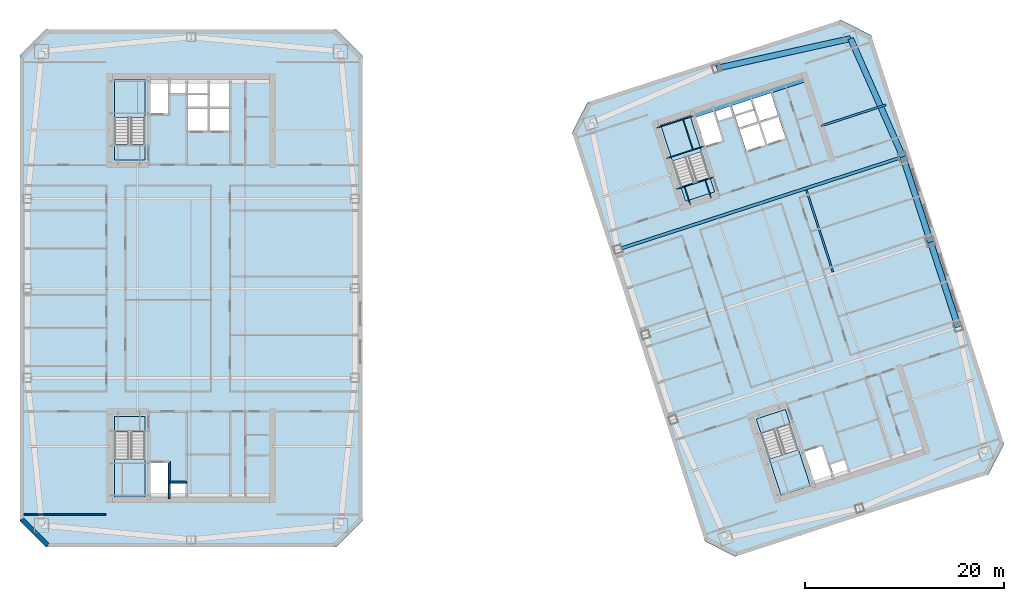
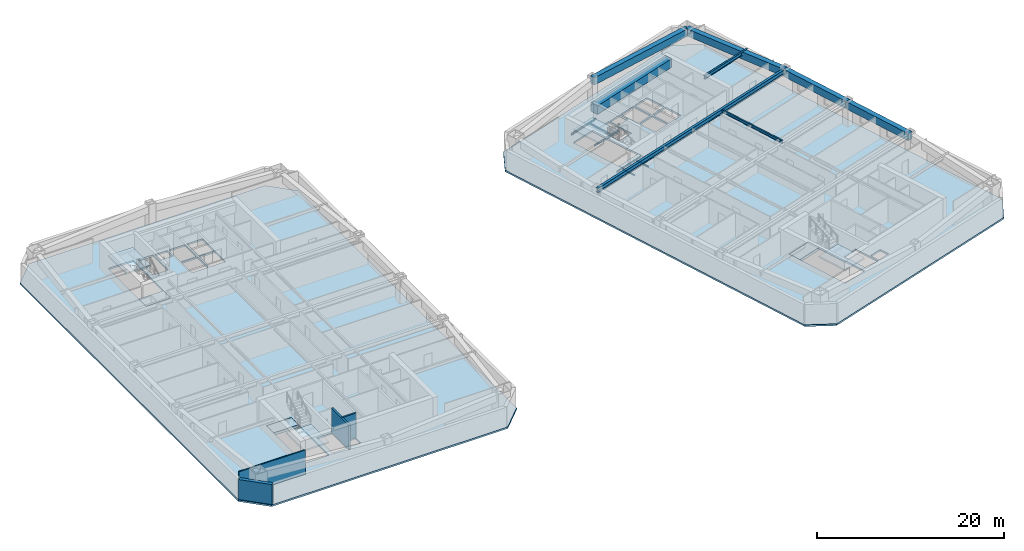
# One storey, part 4 of 13: 14 beams, 10 slabs, 4 walls, 4 elements without a shape of their own.
"""IFC4 building model written with IfcOpenShell, lengths in metres."""

import ifcopenshell
import ifcopenshell.guid

model = None  # the IFC model being written
_history = None  # IfcOwnerHistory: only IFC2X3 demands one
_inside = {}  # id of a spatial element -> (the spatial element, [elements in it])
_under = {}  # id of a project, library or spatial element -> (it, [spatial elements below it])
_declared = {}  # id of a project -> (the project, [libraries it declares])
_typed = {}  # id of a type object -> (the type object, [elements of that type])
_made_of = {}  # id of a material, layer set ... -> (it, [elements and type objects made of it])


def new_model(schema):
    """Start an empty IFC model of exactly this schema.

    Asked for "IFC4X3", IfcOpenShell would pick the latest addendum, in which some entities
    have other attributes; the version numbers below select the first issue.
    IFC2X3 requires an IfcOwnerHistory on every rooted entity: one is made here for all.
    """
    global model, _history
    if schema == "IFC4X3":
        model = ifcopenshell.file(schema_version=(4, 3, 0, 0))
    else:
        model = ifcopenshell.file(schema=schema)
    _inside.clear()
    _under.clear()
    _declared.clear()
    _typed.clear()
    _made_of.clear()
    _history = None
    if model.schema == "IFC2X3":
        org = make("IfcOrganization", Name="unknown")
        user = make(
            "IfcPersonAndOrganization",
            ThePerson=make("IfcPerson", FamilyName="unknown"),
            TheOrganization=org,
        )
        app = make(
            "IfcApplication",
            ApplicationDeveloper=org,
            Version="unknown",
            ApplicationFullName="unknown",
            ApplicationIdentifier="unknown",
        )
        _history = make(
            "IfcOwnerHistory",
            OwningUser=user,
            OwningApplication=app,
            ChangeAction="ADDED",
            CreationDate=0,
        )
    return model


def make(cls, **values):
    """One entity of the class cls with the attributes given. An attribute that is None is left unset."""
    return model.create_entity(
        cls, **{name: value for name, value in values.items() if value is not None}
    )


def rooted(cls, **values):
    """An entity with a GlobalId (a new one), such as an element, a storey or a relation."""
    return make(cls, GlobalId=ifcopenshell.guid.new(), OwnerHistory=_history, **values)


def si_unit(unit_type, name, prefix=None):
    """IfcSIUnit, for example si_unit("LENGTHUNIT", "METRE", prefix="MILLI")."""
    return make("IfcSIUnit", UnitType=unit_type, Prefix=prefix, Name=name)


def assignment(units):
    """IfcUnitAssignment: the units of a project."""
    return None if units is None else make("IfcUnitAssignment", Units=units)


def point(xyz):
    """IfcCartesianPoint."""
    return None if xyz is None else make("IfcCartesianPoint", Coordinates=xyz)


def direction(xyz):
    """IfcDirection."""
    return None if xyz is None else make("IfcDirection", DirectionRatios=xyz)


def frame(location, z_axis=None, x_axis=None):
    """IfcAxis2Placement3D, a coordinate frame: its origin and axes. An axis left out is left unset."""
    return make(
        "IfcAxis2Placement3D",
        Location=point(location),
        Axis=direction(z_axis),
        RefDirection=direction(x_axis),
    )


def frame_2d(location, x_axis=None):
    """IfcAxis2Placement2D, a coordinate frame in the plane: its origin and x axis."""
    return make(
        "IfcAxis2Placement2D", Location=point(location), RefDirection=direction(x_axis)
    )


def origin():
    """The frame at (0, 0, 0) with its axes left unset."""
    return frame((0.0, 0.0, 0.0))


def origin_2d():
    """The frame at (0, 0) in the plane with its x axis left unset."""
    return frame_2d((0.0, 0.0))


def place(relative_to, where):
    """IfcLocalPlacement: puts the frame where relative to a parent placement (None: the world)."""
    return make(
        "IfcLocalPlacement", PlacementRelTo=relative_to, RelativePlacement=where
    )


def context(
    kind, dimensions, precision=None, world=None, true_north=None, identifier=None
):
    """IfcGeometricRepresentationContext, for example the 3D "Model" context."""
    return make(
        "IfcGeometricRepresentationContext",
        ContextIdentifier=identifier,
        ContextType=kind,
        CoordinateSpaceDimension=dimensions,
        Precision=precision,
        WorldCoordinateSystem=world,
        TrueNorth=true_north,
    )


def subcontext(parent, identifier, kind, view, scale=None):
    """IfcGeometricRepresentationSubContext, for example "Body" below "Model"."""
    return make(
        "IfcGeometricRepresentationSubContext",
        ContextIdentifier=identifier,
        ContextType=kind,
        ParentContext=parent,
        TargetScale=scale,
        TargetView=view,
    )


def project(units=None, contexts=None):
    """IfcProject with its units and contexts."""
    return rooted(
        "IfcProject",
        Name="project",
        RepresentationContexts=contexts,
        UnitsInContext=assignment(units),
    )


def spatial(cls, under=None, at=None, **own):
    """A site, building, storey or space (cls), placed at a placement, below another one or the project."""
    s = rooted(cls, ObjectPlacement=at, **own)
    if under is not None:
        _under.setdefault(under.id(), (under, []))[1].append(s)
    return s


def polyline(points):
    """IfcPolyline through the points."""
    return make("IfcPolyline", Points=[point(p) for p in points])


def profile(cls, at=None, kind="AREA", **sizes):
    """A parametric profile (cls). Its sizes go by their IFC names, for example OverallWidth=200.0."""
    return make(cls, ProfileType=kind, Position=at, **sizes)


def rectangle(**sizes):
    """IfcRectangleProfileDef."""
    return profile("IfcRectangleProfileDef", **sizes)


def i_section(**sizes):
    """IfcIShapeProfileDef."""
    return profile("IfcIShapeProfileDef", **sizes)


def outline(outer, holes=None, kind="AREA"):
    """IfcArbitraryClosedProfileDef: a profile drawn as a closed curve; with holes, ...WithVoids."""
    if holes is None:
        return make("IfcArbitraryClosedProfileDef", ProfileType=kind, OuterCurve=outer)
    return make(
        "IfcArbitraryProfileDefWithVoids",
        ProfileType=kind,
        OuterCurve=outer,
        InnerCurves=holes,
    )


def extrude(swept, where, along, depth):
    """IfcExtrudedAreaSolid: the profile swept, set in the frame where, extruded along a direction by depth."""
    return make(
        "IfcExtrudedAreaSolid",
        SweptArea=swept,
        Position=where,
        ExtrudedDirection=direction(along),
        Depth=depth,
    )


def shape(context_of_items, identifier, shape_type, items):
    """IfcShapeRepresentation: the items that make up one representation, for example the "Body"."""
    return make(
        "IfcShapeRepresentation",
        ContextOfItems=context_of_items,
        RepresentationIdentifier=identifier,
        RepresentationType=shape_type,
        Items=items,
    )


def material(Name=None, Category=None):
    """IfcMaterial."""
    return make("IfcMaterial", Name=Name, Category=Category)


def layer(
    of_material, thickness, ventilated=None, Name=None, Category=None, Priority=None
):
    """IfcMaterialLayer: one layer of a wall or slab, of a material (None: an air gap)."""
    return make(
        "IfcMaterialLayer",
        Material=of_material,
        LayerThickness=thickness,
        IsVentilated=ventilated,
        Name=Name,
        Category=Category,
        Priority=Priority,
    )


def layer_set(layers, Name=None):
    """IfcMaterialLayerSet."""
    return make("IfcMaterialLayerSet", MaterialLayers=layers, LayerSetName=Name)


def material_profile(
    of_material, cross_section, Name=None, Category=None, Priority=None
):
    """IfcMaterialProfile: a cross section and its material."""
    return make(
        "IfcMaterialProfile",
        Name=Name,
        Material=of_material,
        Profile=cross_section,
        Priority=Priority,
        Category=Category,
    )


def profile_set(profiles, Name=None, composite=None):
    """IfcMaterialProfileSet."""
    return make(
        "IfcMaterialProfileSet",
        Name=Name,
        MaterialProfiles=profiles,
        CompositeProfile=composite,
    )


def made_of(thing, what):
    """Note that an element or type object is made of a material, layer set ...; save() writes the relation."""
    if what is not None:
        _made_of.setdefault(what.id(), (what, []))[1].append(thing)
    return thing


def type_object(cls, material=None, **own):
    """A type object (cls), such as IfcWallType, which elements share."""
    return made_of(rooted(cls, **own), material)


def element(
    cls,
    number,
    at=None,
    inside=None,
    cuts=None,
    type_object=None,
    material=None,
    context=None,
    identifier="Body",
    shape_type=None,
    held_by="IfcProductDefinitionShape",
    body=None,
    shapes=None,
    **own,
):
    """One element of the class cls, such as IfcWall. Its Tag is "e" and its number.

    at: its placement. inside: the storey or other place that contains it. cuts: it is an
    opening in that element (IfcRelVoidsElement). A single representation is given by context,
    identifier, shape_type and body (its items); several are given by shapes. held_by: the class
    of the entity that holds the representations. save() writes the other relations.
    """
    e = rooted(cls, Tag="e%d" % number, ObjectPlacement=at, **own)
    if body is not None:
        shapes = [shape(context, identifier, shape_type, body)]
    if shapes is not None:
        e.Representation = make(held_by, Representations=shapes)
    if inside is not None:
        _inside.setdefault(inside.id(), (inside, []))[1].append(e)
    if cuts is not None:
        rooted(
            "IfcRelVoidsElement", RelatingBuildingElement=cuts, RelatedOpeningElement=e
        )
    if type_object is not None:
        _typed.setdefault(type_object.id(), (type_object, []))[1].append(e)
    return made_of(e, material)


def aggregate(whole, parts):
    """IfcRelAggregates: a whole, such as a stair, and the parts it consists of."""
    return rooted("IfcRelAggregates", RelatingObject=whole, RelatedObjects=parts)


def save(model, path):
    """Write the relations noted so far, then the file.

    IfcRelAggregates (storeys below a building ...), IfcRelContainedInSpatialStructure (elements
    in a storey), IfcRelDefinesByType, IfcRelAssociatesMaterial and IfcRelDeclares: one each for
    every whole, place, type object, material and project.
    """
    for whole, parts in _under.values():
        aggregate(whole, parts)
    for where, things in _inside.values():
        rooted(
            "IfcRelContainedInSpatialStructure",
            RelatedElements=things,
            RelatingStructure=where,
        )
    for kind, things in _typed.values():
        rooted("IfcRelDefinesByType", RelatedObjects=things, RelatingType=kind)
    for what, things in _made_of.values():
        rooted("IfcRelAssociatesMaterial", RelatedObjects=things, RelatingMaterial=what)
    for by, libraries in _declared.values():
        rooted("IfcRelDeclares", RelatingContext=by, RelatedDefinitions=libraries)
    model.write(path)


model = new_model("IFC4")

# Units and contexts
model_context = context("Model", 3, precision=1e-05, world=origin(), true_north=direction((0.0, 1.0)))
body_context = subcontext(model_context, "Body", "Model", "MODEL_VIEW")
ifc_project = project(units=[si_unit("LENGTHUNIT", "METRE"), si_unit("AREAUNIT", "SQUARE_METRE"), si_unit("VOLUMEUNIT", "CUBIC_METRE"), si_unit("PLANEANGLEUNIT", "RADIAN"), si_unit("MASSUNIT", "GRAM", prefix="KILO")], contexts=[model_context])

# Site, building, storey
site_placement = place(None, origin())
site = spatial("IfcSite", under=ifc_project, at=site_placement, CompositionType="ELEMENT")
building_placement = place(site_placement, origin())
building = spatial("IfcBuilding", under=site, at=building_placement, Name="Qiaolan Cultural Towers", CompositionType="ELEMENT")
storey_placement = place(building_placement, frame((0.0, 0.0, 170.199951171875)))
storey = spatial("IfcBuildingStorey", under=building, at=storey_placement, Name="L45", CompositionType="ELEMENT", Elevation=170.199951171875)

# Beams
ifc_material_1 = material(Name="Steel Q355B", Category="steel")
ifc_material_profile_1 = material_profile(ifc_material_1, i_section(OverallWidth=0.300048828125, OverallDepth=0.587890625, WebThickness=0.011962890625, FlangeThickness=0.02001953125, at=origin_2d()), Name="HM588x300x12x20")
ifc_profile_set_1 = profile_set([ifc_material_profile_1], Name="Steel Q355B")
beam_type_1 = type_object("IfcBeamType", Name="BM-HM588x300x12x20", PredefinedType="BEAM", material=ifc_profile_set_1)
beam_1_placement = place(storey_placement, frame((72.905517578125, 37.90869140625, 2.89599609375), z_axis=(0.951055226628, 0.309020963535, 0.0), x_axis=(-0.309020963535, 0.951055226628, 0.0)))
element("IfcBeam", 1, at=beam_1_placement, inside=storey, type_object=beam_type_1, Name="L45 T2 Primary Transverse Girder V3", PredefinedType="BEAM", context=body_context, shape_type="SweptSolid", body=[
    extrude(i_section(OverallWidth=0.300048828125, OverallDepth=0.587890625, WebThickness=0.011962890625, FlangeThickness=0.02001953125, at=origin_2d()), origin(), (0.0, 0.0, 1.0), 30.099853515625),
])
ifc_material_2 = material(Name="Steel Q355B", Category="steel")
ifc_material_profile_2 = material_profile(ifc_material_2, i_section(OverallWidth=0.175048828125, OverallDepth=0.35009765625, WebThickness=0.007080078125, FlangeThickness=0.010986328125, at=origin_2d()), Name="HN350x175x7x11")
ifc_profile_set_2 = profile_set([ifc_material_profile_2], Name="Steel Q355B")
beam_type_2 = type_object("IfcBeamType", Name="BM-JST-HN350x175x7x11", PredefinedType="JOIST", material=ifc_profile_set_2)
beam_2_placement = place(storey_placement, frame((94.518798828125, 35.6259765625, 3.01513671875), z_axis=(-0.309020714809, 0.951055307445, 0.0), x_axis=(-0.951055307445, -0.309020714809, 0.0)))
element("IfcBeam", 2, at=beam_2_placement, inside=storey, type_object=beam_type_2, Name="L45 T2 Secondary Floor Joist U3-3", PredefinedType="JOIST", context=body_context, shape_type="SweptSolid", body=[
    extrude(i_section(OverallWidth=0.175048828125, OverallDepth=0.35009765625, WebThickness=0.007080078125, FlangeThickness=0.010986328125, at=origin_2d()), origin(), (0.0, 0.0, 1.0), 8.699951171875),
])
ifc_material_3 = material(Name="Steel Q355B", Category="steel")
ifc_material_profile_3 = material_profile(ifc_material_3, i_section(OverallWidth=0.199951171875, OverallDepth=0.449951171875, WebThickness=0.009033203125, FlangeThickness=0.013916015625, at=origin_2d()), Name="HN450x200x9x14")
ifc_profile_set_3 = profile_set([ifc_material_profile_3], Name="Steel Q355B")
beam_type_3 = type_object("IfcBeamType", Name="BM-LNT-HN450x200x9x14", PredefinedType="LINTEL", material=ifc_profile_set_3)
beam_3_placement = place(storey_placement, frame((93.31787109375, 50.32421875, 2.965087890625), z_axis=(0.951061565824, 0.30900145309, 0.0), x_axis=(-0.30900145309, 0.951061565824, 0.0)))
element("IfcBeam", 3, at=beam_3_placement, inside=storey, type_object=beam_type_3, Name="L45 T2 Core Flank Tie Lintel EN", PredefinedType="LINTEL", context=body_context, shape_type="SweptSolid", body=[
    extrude(i_section(OverallWidth=0.199951171875, OverallDepth=0.449951171875, WebThickness=0.009033203125, FlangeThickness=0.013916015625, at=origin_2d()), origin(), (0.0, 0.0, 1.0), 6.85009765625),
])
ifc_material_4 = material(Name="Concrete C50", Category="concrete")
ifc_material_profile_4 = material_profile(ifc_material_4, rectangle(XDim=0.89990234375, YDim=1.10009765625, at=origin_2d()), Name="RC900x1100")
ifc_profile_set_4 = profile_set([ifc_material_profile_4], Name="Concrete C50")
beam_type_4 = type_object("IfcBeamType", Name="BM-RC900x1100", PredefinedType="BEAM", material=ifc_profile_set_4)
beam_4_placement = place(storey_placement, frame((80.427978515625, 51.551025390625, 2.64013671875), z_axis=(0.951056266386, 0.309017763514, 0.0), x_axis=(-0.309017763514, 0.951056266386, 0.0)))
element("IfcBeam", 4, at=beam_4_placement, inside=storey, type_object=beam_type_4, Name="L45 T2 Core Header Girder N", PredefinedType="BEAM", context=body_context, shape_type="SweptSolid", body=[
    extrude(rectangle(XDim=0.89990234375, YDim=1.10009765625, at=origin_2d()), origin(), (0.0, 0.0, 1.0), 11.880126953125),
])
ifc_material_5 = material(Name="Concrete C50", Category="concrete")
ifc_material_profile_5 = material_profile(ifc_material_5, rectangle(XDim=0.60009765625, YDim=0.949951171875, at=origin_2d()), Name="RC600x950")
ifc_profile_set_5 = profile_set([ifc_material_profile_5], Name="Concrete C50")
beam_type_5 = type_object("IfcBeamType", Name="BM-SPD-RC600x950", PredefinedType="SPANDREL", material=ifc_profile_set_5)
beam_5_placement = place(storey_placement, frame((107.094482421875, 30.09130859375, 2.715087890625), z_axis=(-0.309008170129, 0.951059383421, 0.0), x_axis=(-0.951059383421, -0.309008170129, 0.0)))
element("IfcBeam", 5, at=beam_5_placement, inside=storey, type_object=beam_type_5, Name="L45 T2 Perimeter Spandrel Beam 4", PredefinedType="SPANDREL", context=body_context, shape_type="SweptSolid", body=[
    extrude(rectangle(XDim=0.60009765625, YDim=0.949951171875, at=origin_2d()), origin(), (0.0, 0.0, 1.0), 8.999755859375),
])
beam_6_placement = place(storey_placement, frame((104.3134765625, 38.650634765625, 2.715087890625), z_axis=(-0.309024734286, 0.951054001411, 0.0), x_axis=(-0.951054001411, -0.309024734286, 0.0)))
element("IfcBeam", 6, at=beam_6_placement, inside=storey, type_object=beam_type_5, Name="L45 T2 Perimeter Spandrel Beam 5", PredefinedType="SPANDREL", context=body_context, shape_type="SweptSolid", body=[
    extrude(rectangle(XDim=0.60009765625, YDim=0.949951171875, at=origin_2d()), origin(), (0.0, 0.0, 1.0), 9.0),
])
beam_7_placement = place(storey_placement, frame((101.5322265625, 47.210205078125, 2.715087890625), z_axis=(-0.404011070002, 0.914754095545, 0.0), x_axis=(-0.914754095545, -0.404011070002, 0.0)))
element("IfcBeam", 7, at=beam_7_placement, inside=storey, type_object=beam_type_5, Name="L45 T2 Perimeter Spandrel Beam 6", PredefinedType="SPANDREL", context=body_context, shape_type="SweptSolid", body=[
    extrude(rectangle(XDim=0.60009765625, YDim=0.949951171875, at=origin_2d()), origin(), (0.0, 0.0, 1.0), 12.9970703125),
])
beam_8_placement = place(storey_placement, frame((96.28125, 59.099365234375, 2.715087890625), z_axis=(-0.976265293399, -0.216578108094, 0.0), x_axis=(0.216578108094, -0.976265293399, 0.0)))
element("IfcBeam", 8, at=beam_8_placement, inside=storey, type_object=beam_type_5, Name="L45 T2 Perimeter Spandrel Beam 7", PredefinedType="SPANDREL", context=body_context, shape_type="SweptSolid", body=[
    extrude(rectangle(XDim=0.60009765625, YDim=0.949951171875, at=origin_2d()), origin(), (0.0, 0.0, 1.0), 13.793212890625),
])
ifc_material_6 = material(Name="Steel Q355B", Category="steel")
ifc_material_profile_6 = material_profile(ifc_material_6, i_section(OverallWidth=0.10009765625, OverallDepth=0.199951171875, WebThickness=0.005615234375, FlangeThickness=0.008056640625, at=origin_2d()), Name="HN200x100x5.5x8")
ifc_profile_set_6 = profile_set([ifc_material_profile_6], Name="Steel Q355B")
beam_type_6 = type_object("IfcBeamType", Name="BM-STTRIM-200", PredefinedType="BEAM", material=ifc_profile_set_6)
beam_9_placement = place(storey_placement, frame((78.773193359375, 43.958251953125, -0.4599609375), z_axis=(0.951072048947, 0.3089691857, 0.0), x_axis=(-0.3089691857, 0.951072048947, 0.0)))
element("IfcBeam", 9, at=beam_9_placement, inside=storey, type_object=beam_type_6, Name="L45 ST-E2 Floor Landing Header Beam", PredefinedType="BEAM", context=body_context, shape_type="SweptSolid", body=[
    extrude(i_section(OverallWidth=0.10009765625, OverallDepth=0.199951171875, WebThickness=0.005615234375, FlangeThickness=0.008056640625, at=origin_2d()), origin(), (0.0, 0.0, 1.0), 3.920166015625),
])
for number, where, z_axis, x_axis, name in (
    (10, (80.18115234375, 42.375732421875, -0.4599609375), (-0.308969394428, 0.951071981138, 0.0), (-0.951071981138, -0.308969394428, 0.0), "L45 ST-E2 Floor Landing Stringer 1"),
    (11, (82.2734375, 43.0556640625, -0.4599609375), (-0.308969394428, 0.951071981138, 0.0), (-0.951071981138, -0.308969394428, 0.0), "L45 ST-E2 Floor Landing Stringer 2"),
):
    element("IfcBeam", number, at=place(storey_placement, frame(where, z_axis=z_axis, x_axis=x_axis)), inside=storey, type_object=beam_type_6, Name=name, PredefinedType="BEAM", context=body_context, shape_type="SweptSolid", body=[
        extrude(i_section(OverallWidth=0.10009765625, OverallDepth=0.199951171875, WebThickness=0.005615234375, FlangeThickness=0.008056640625, at=origin_2d()), origin(), (0.0, 0.0, 1.0), 1.93994140625),
    ])
for number, where, z_axis, x_axis, name in (
    (12, (77.769287109375, 47.0478515625, 1.425048828125), (0.951053746643, 0.309025518358, 0.0), (-0.309025518358, 0.951053746643, 0.0), "L45 ST-E2 Stair Landing Support Beam 1-1"),
    (13, (76.770751953125, 50.12109375, 1.425048828125), (0.951072048947, 0.3089691857, 0.0), (-0.3089691857, 0.951072048947, 0.0), "L45 ST-E2 Stair Landing Support Beam 1-2"),
):
    element("IfcBeam", number, at=place(storey_placement, frame(where, z_axis=z_axis, x_axis=x_axis)), inside=storey, type_object=beam_type_6, Name=name, PredefinedType="BEAM", context=body_context, shape_type="SweptSolid", body=[
        extrude(i_section(OverallWidth=0.10009765625, OverallDepth=0.199951171875, WebThickness=0.005615234375, FlangeThickness=0.008056640625, at=origin_2d()), origin(), (0.0, 0.0, 1.0), 3.920166015625),
    ])
beam_10_placement = place(storey_placement, frame((80.44189453125, 47.916259765625, 1.425048828125), z_axis=(-0.309033108495, 0.951051280349, 0.0), x_axis=(-0.951051280349, -0.309033108495, 0.0)))
element("IfcBeam", 14, at=beam_10_placement, inside=storey, type_object=beam_type_6, Name="L45 ST-E2 Stair Landing Trimmer 1", PredefinedType="BEAM", context=body_context, shape_type="SweptSolid", body=[
    extrude(i_section(OverallWidth=0.10009765625, OverallDepth=0.199951171875, WebThickness=0.005615234375, FlangeThickness=0.008056640625, at=origin_2d()), origin(), (0.0, 0.0, 1.0), 3.231201171875),
])

# Stair, slab
ifc_material_7 = material(Name="Concrete C45", Category="concrete")
stair_type = type_object("IfcStairType", Name="STR-CORE-1500", PredefinedType="HALF_TURN_STAIR", material=ifc_material_7)
stair_1_placement = place(storey_placement, origin())
stair_1 = element("IfcStair", 15, at=stair_1_placement, inside=storey, type_object=stair_type, Name="L45 Smokeproof Exit Stair ST-W1", PredefinedType="HALF_TURN_STAIR")
ifc_material_8 = material(Name="Concrete C45", Category="concrete")
ifc_layer_1 = layer(ifc_material_8, 0.199951171875)
ifc_layer_set_1 = layer_set([ifc_layer_1], Name="Concrete C45")
slab_type_1 = type_object("IfcSlabType", Name="SL-STAIR-LAND", PredefinedType="LANDING", material=ifc_layer_set_1)
slab_1_placement = place(storey_placement, frame((0.0, 0.0, 1.525146484375)))
slab_1 = element("IfcSlab", 16, at=slab_1_placement, type_object=slab_type_1, Name="ST-W1 landing 1", PredefinedType="LANDING", context=body_context, shape_type="SweptSolid", body=[
    extrude(outline(polyline([(22.300048828125, 16.851318359375), (22.300048828125, 13.0), (25.3798828125, 13.0), (25.3798828125, 16.851318359375), (22.300048828125, 16.851318359375)])), origin(), (0.0, 0.0, 1.0), 0.199951171875),
])
aggregate(stair_1, [slab_1])

stair_2_placement = place(storey_placement, origin())
stair_2 = element("IfcStair", 17, at=stair_2_placement, inside=storey, type_object=stair_type, Name="L45 Smokeproof Exit Stair ST-W2", PredefinedType="HALF_TURN_STAIR")
slab_2_placement = place(storey_placement, frame((0.0, 0.0, 1.525146484375)))
slab_2 = element("IfcSlab", 18, at=slab_2_placement, type_object=slab_type_1, Name="ST-W2 landing 1", PredefinedType="LANDING", context=body_context, shape_type="SweptSolid", body=[
    extrude(outline(polyline([(25.3798828125, 51.148681640625), (25.3798828125, 55.0), (22.300048828125, 55.0), (22.300048828125, 51.148681640625), (25.3798828125, 51.148681640625)])), origin(), (0.0, 0.0, 1.0), 0.199951171875),
])
aggregate(stair_2, [slab_2])

stair_3_placement = place(storey_placement, origin())
stair_3 = element("IfcStair", 19, at=stair_3_placement, inside=storey, type_object=stair_type, Name="L45 Smokeproof Exit Stair ST-E1", PredefinedType="HALF_TURN_STAIR")
slab_3_placement = place(storey_placement, frame((0.0, 0.0, 1.525146484375)))
slab_3 = element("IfcSlab", 20, at=slab_3_placement, type_object=slab_type_1, Name="ST-E1 landing 1", PredefinedType="LANDING", context=body_context, shape_type="SweptSolid", body=[
    extrude(outline(polyline([(88.114013671875, 16.828125), (89.30419921875, 13.165283203125), (92.2333984375, 14.116943359375), (91.04345703125, 17.77978515625), (88.114013671875, 16.828125)])), origin(), (0.0, 0.0, 1.0), 0.199951171875),
])
aggregate(stair_3, [slab_3])

stair_4_placement = place(storey_placement, origin())
stair_4 = element("IfcStair", 21, at=stair_4_placement, inside=storey, type_object=stair_type, Name="L45 Smokeproof Exit Stair ST-E2", PredefinedType="HALF_TURN_STAIR")
slab_4_placement = place(storey_placement, frame((0.0, 0.0, 1.525146484375)))
slab_4 = element("IfcSlab", 22, at=slab_4_placement, type_object=slab_type_1, Name="ST-E2 landing 1", PredefinedType="LANDING", context=body_context, shape_type="SweptSolid", body=[
    extrude(outline(polyline([(81.31005859375, 47.735595703125), (80.1201171875, 51.3984375), (77.190673828125, 50.44677734375), (78.380859375, 46.783935546875), (81.31005859375, 47.735595703125)])), origin(), (0.0, 0.0, 1.0), 0.199951171875),
])
aggregate(stair_4, [slab_4])

# Slabs
ifc_material_9 = material(Name="Concrete C40", Category="concrete")
ifc_layer_2 = layer(ifc_material_9, 0.360107421875)
ifc_layer_set_2 = layer_set([ifc_layer_2], Name="Concrete C40")
slab_type_2 = type_object("IfcSlabType", Name="SL-STFLR-360", PredefinedType="LANDING", material=ifc_layer_set_2)
slab_5_placement = place(storey_placement, frame((0.0, 0.0, -0.35986328125)))
element("IfcSlab", 23, at=slab_5_placement, inside=storey, type_object=slab_type_2, Name="L45 ST-W1 Stair Floor Landing Slab", PredefinedType="LANDING", context=body_context, shape_type="SweptSolid", body=[
    extrude(outline(polyline([(22.302001953125, 21.097900390625), (22.302001953125, 19.548583984375), (25.3779296875, 19.548583984375), (25.3779296875, 21.097900390625), (22.302001953125, 21.097900390625)])), origin(), (0.0, 0.0, 1.0), 0.35986328125),
])
slab_6_placement = place(storey_placement, frame((0.0, 0.0, -0.35986328125)))
element("IfcSlab", 24, at=slab_6_placement, inside=storey, type_object=slab_type_2, Name="L45 ST-W2 Stair Floor Landing Slab", PredefinedType="LANDING", context=body_context, shape_type="SweptSolid", body=[
    extrude(outline(polyline([(25.3779296875, 46.902099609375), (25.3779296875, 48.451416015625), (22.302001953125, 48.451416015625), (22.302001953125, 46.902099609375), (25.3779296875, 46.902099609375)])), origin(), (0.0, 0.0, 1.0), 0.35986328125),
])
slab_7_placement = place(storey_placement, frame((0.0, 0.0, -0.35986328125)))
element("IfcSlab", 25, at=slab_7_placement, inside=storey, type_object=slab_type_2, Name="L45 ST-E1 Stair Floor Landing Slab", PredefinedType="LANDING", context=body_context, shape_type="SweptSolid", body=[
    extrude(outline(polyline([(86.8037109375, 20.867431640625), (87.282470703125, 19.39404296875), (90.2080078125, 20.3447265625), (89.729248046875, 21.818115234375), (86.8037109375, 20.867431640625)])), origin(), (0.0, 0.0, 1.0), 0.35986328125),
])
slab_8_placement = place(storey_placement, frame((0.0, 0.0, -0.35986328125)))
element("IfcSlab", 26, at=slab_8_placement, inside=storey, type_object=slab_type_2, Name="L45 ST-E2 Stair Floor Landing Slab", PredefinedType="LANDING", context=body_context, shape_type="SweptSolid", body=[
    extrude(outline(polyline([(82.62060546875, 43.6962890625), (82.141845703125, 45.169677734375), (79.21630859375, 44.21923828125), (79.695068359375, 42.74560546875), (82.62060546875, 43.6962890625)])), origin(), (0.0, 0.0, 1.0), 0.35986328125),
])
ifc_material_10 = material(Name="Concrete C45", Category="concrete")
ifc_layer_3 = layer(ifc_material_10, 0.219970703125)
ifc_layer_set_3 = layer_set([ifc_layer_3], Name="Concrete C45")
slab_type_3 = type_object("IfcSlabType", Name="SL-TYP-220", PredefinedType="FLOOR", material=ifc_layer_set_3)
slab_9_placement = place(storey_placement, frame((0.0, 0.0, -0.219970703125)))
element("IfcSlab", 27, at=slab_9_placement, inside=storey, type_object=slab_type_3, Name="L45 West Tower Floor Slab", PredefinedType="FLOOR", context=body_context, shape_type="SweptSolid", body=[
    extrude(outline(polyline([(15.39990234375, 8.0), (44.60009765625, 8.0), (47.199951171875, 10.60009765625), (47.199951171875, 57.39990234375), (44.60009765625, 60.0), (15.39990234375, 60.0), (12.800048828125, 57.39990234375), (12.800048828125, 10.60009765625), (15.39990234375, 8.0)]), holes=[polyline([(22.300048828125, 21.10009765625), (22.300048828125, 13.0), (25.3798828125, 13.0), (25.3798828125, 21.10009765625), (22.300048828125, 21.10009765625)]), polyline([(25.3798828125, 46.89990234375), (25.3798828125, 55.0), (22.300048828125, 55.0), (22.300048828125, 46.89990234375), (25.3798828125, 46.89990234375)]), polyline([(25.89990234375, 13.199951171875), (27.75, 13.199951171875), (27.75, 16.449951171875), (25.89990234375, 16.449951171875), (25.89990234375, 13.199951171875)]), polyline([(27.93994140625, 13.25), (29.449951171875, 13.25), (29.449951171875, 14.419921875), (27.93994140625, 14.419921875), (27.93994140625, 13.25)]), polyline([(25.89990234375, 51.550048828125), (27.75, 51.550048828125), (27.75, 54.800048828125), (25.89990234375, 54.800048828125), (25.89990234375, 51.550048828125)]), polyline([(27.93994140625, 53.580078125), (29.449951171875, 53.580078125), (29.449951171875, 54.75), (27.93994140625, 54.75), (27.93994140625, 53.580078125)]), polyline([(29.679931640625, 49.820068359375), (31.679931640625, 49.820068359375), (31.679931640625, 52.080078125), (29.679931640625, 52.080078125), (29.679931640625, 49.820068359375)]), polyline([(31.8798828125, 49.820068359375), (33.820068359375, 49.820068359375), (33.820068359375, 52.080078125), (31.8798828125, 52.080078125), (31.8798828125, 49.820068359375)]), polyline([(29.679931640625, 52.27001953125), (31.659912109375, 52.27001953125), (31.659912109375, 54.75), (29.679931640625, 54.75), (29.679931640625, 52.27001953125)]), polyline([(31.8798828125, 52.27001953125), (33.820068359375, 52.27001953125), (33.820068359375, 54.75), (31.8798828125, 54.75), (31.8798828125, 52.27001953125)])]), origin(), (0.0, 0.0, 1.0), 0.219970703125),
])
slab_10_placement = place(storey_placement, frame((0.0, 0.0, -0.219970703125)))
element("IfcSlab", 28, at=slab_10_placement, inside=storey, type_object=slab_type_3, Name="L45 East Tower Floor Slab", PredefinedType="FLOOR", context=body_context, shape_type="SweptSolid", body=[
    extrude(outline(polyline([(84.67236328125, 7.033935546875), (110.16064453125, 15.3154296875), (111.701416015625, 18.339599609375), (98.351806640625, 59.42529296875), (95.32763671875, 60.966064453125), (69.83935546875, 52.6845703125), (68.298583984375, 49.660400390625), (81.648193359375, 8.57470703125), (84.67236328125, 7.033935546875)]), holes=[polyline([(86.80126953125, 20.868896484375), (89.30419921875, 13.165283203125), (92.2333984375, 14.116943359375), (89.73046875, 21.820556640625), (86.80126953125, 20.868896484375)]), polyline([(82.623046875, 43.69482421875), (80.1201171875, 51.3984375), (77.190673828125, 50.44677734375), (79.69384765625, 42.7431640625), (82.623046875, 43.69482421875)]), polyline([(92.666259765625, 14.468017578125), (94.42578125, 15.03955078125), (93.42138671875, 18.130615234375), (91.661865234375, 17.558837890625), (92.666259765625, 14.468017578125)]), polyline([(94.5908203125, 15.14599609375), (96.027099609375, 15.612548828125), (95.66552734375, 16.725341796875), (94.2294921875, 16.258544921875), (94.5908203125, 15.14599609375)]), polyline([(81.6806640625, 48.278076171875), (83.440185546875, 48.849609375), (82.435791015625, 51.940673828125), (80.67626953125, 51.368896484375), (81.6806640625, 48.278076171875)]), polyline([(82.993408203125, 50.839111328125), (84.4296875, 51.3056640625), (84.068115234375, 52.41845703125), (82.632080078125, 51.95166015625), (82.993408203125, 50.839111328125)]), polyline([(85.810302734375, 47.80078125), (87.71240234375, 48.418701171875), (87.013916015625, 50.568115234375), (85.11181640625, 49.9501953125), (85.810302734375, 47.80078125)]), polyline([(87.902587890625, 48.480712890625), (89.74755859375, 49.080078125), (89.04931640625, 51.2294921875), (87.2041015625, 50.6298828125), (87.902587890625, 48.480712890625)]), polyline([(85.05322265625, 50.130859375), (86.936279296875, 50.74267578125), (86.169921875, 53.101318359375), (84.286865234375, 52.489501953125), (85.05322265625, 50.130859375)]), polyline([(87.1455078125, 50.810791015625), (88.990478515625, 51.41015625), (88.22412109375, 53.768798828125), (86.379150390625, 53.169189453125), (87.1455078125, 50.810791015625)])]), origin(), (0.0, 0.0, 1.0), 0.219970703125),
])

# Walls
ifc_material_11 = material(Name="Precast Concrete C50 Honed Stone Pier", Category="masonry")
ifc_layer_4 = layer(ifc_material_11, 0.39990234375)
ifc_layer_set_4 = layer_set([ifc_layer_4], Name="Precast Concrete C50 Honed Stone Pier")
wall_type_1 = type_object("IfcWallType", Name="WL-EXT-PIER-400", PredefinedType="SOLIDWALL", material=ifc_layer_set_4)
wall_1_placement = place(storey_placement, frame((15.60009765625, 8.199951171875, 0.0), z_axis=(0.0, 0.0, 1.0), x_axis=(-0.707106781187, 0.707106781187, 0.0)))
element("IfcWall", 29, at=wall_1_placement, inside=storey, type_object=wall_type_1, Name="L45 West Tower Precast Pier Facade Wall F8", PredefinedType="SOLIDWALL", context=body_context, shape_type="SweptSolid", body=[
    extrude(rectangle(XDim=3.677001953125, YDim=0.39990234375, at=frame_2d((1.83837890625, 0.0))), origin(), (0.0, 0.0, 1.0), 2.610107421875),
])
ifc_material_12 = material(Name="Concrete C35 Fire Wall", Category="concrete")
ifc_layer_5 = layer(ifc_material_12, 0.199951171875)
ifc_layer_set_5 = layer_set([ifc_layer_5], Name="Concrete C35 Fire Wall")
wall_type_2 = type_object("IfcWallType", Name="WL-FIRE-200", PredefinedType="PARTITIONING", material=ifc_layer_set_5)
wall_2_placement = place(storey_placement, frame((27.820068359375, 16.550048828125, 0.0), z_axis=(0.0, 0.0, 1.0), x_axis=(0.0, -1.0, 0.0)))
element("IfcWall", 30, at=wall_2_placement, inside=storey, type_object=wall_type_2, Name="L45 T1-CS Firefighting Hoistway East Wall", PredefinedType="PARTITIONING", context=body_context, shape_type="SweptSolid", body=[
    extrude(rectangle(XDim=3.699951171875, YDim=0.199951171875, at=frame_2d((1.85009765625, 0.0))), origin(), (0.0, 0.0, 1.0), 3.175048828125),
])
wall_3_placement = place(storey_placement, frame((27.820068359375, 14.52001953125, 0.0), z_axis=(0.0, 0.0, 1.0), x_axis=(1.0, 0.0, 0.0)))
element("IfcWall", 31, at=wall_3_placement, inside=storey, type_object=wall_type_2, Name="L45 T1-CS Pressurization Shaft Front Wall", PredefinedType="PARTITIONING", context=body_context, shape_type="SweptSolid", body=[
    extrude(rectangle(XDim=1.72998046875, YDim=0.199951171875, at=frame_2d((0.864990234375, 0.0))), origin(), (0.0, 0.0, 1.0), 3.175048828125),
])
ifc_material_13 = material(Name="Autoclaved Aerated Concrete Block B06", Category="concrete")
ifc_layer_6 = layer(ifc_material_13, 0.14990234375)
ifc_layer_set_6 = layer_set([ifc_layer_6], Name="Autoclaved Aerated Concrete Block B06")
wall_type_3 = type_object("IfcWallType", Name="WL-PART-150", PredefinedType="PARTITIONING", material=ifc_layer_set_6)
wall_4_placement = place(storey_placement, frame((13.199951171875, 11.25, 0.0), z_axis=(0.0, 0.0, 1.0), x_axis=(1.0, 0.0, 0.0)))
element("IfcWall", 32, at=wall_4_placement, inside=storey, type_object=wall_type_3, Name="L45 T1 Flank Wall FLK-SW", PredefinedType="PARTITIONING", context=body_context, shape_type="SweptSolid", body=[
    extrude(rectangle(XDim=8.199951171875, YDim=0.14990234375, at=frame_2d((4.10009765625, 0.0))), origin(), (0.0, 0.0, 1.0), 3.175048828125),
])

save(model, "model.ifc")
